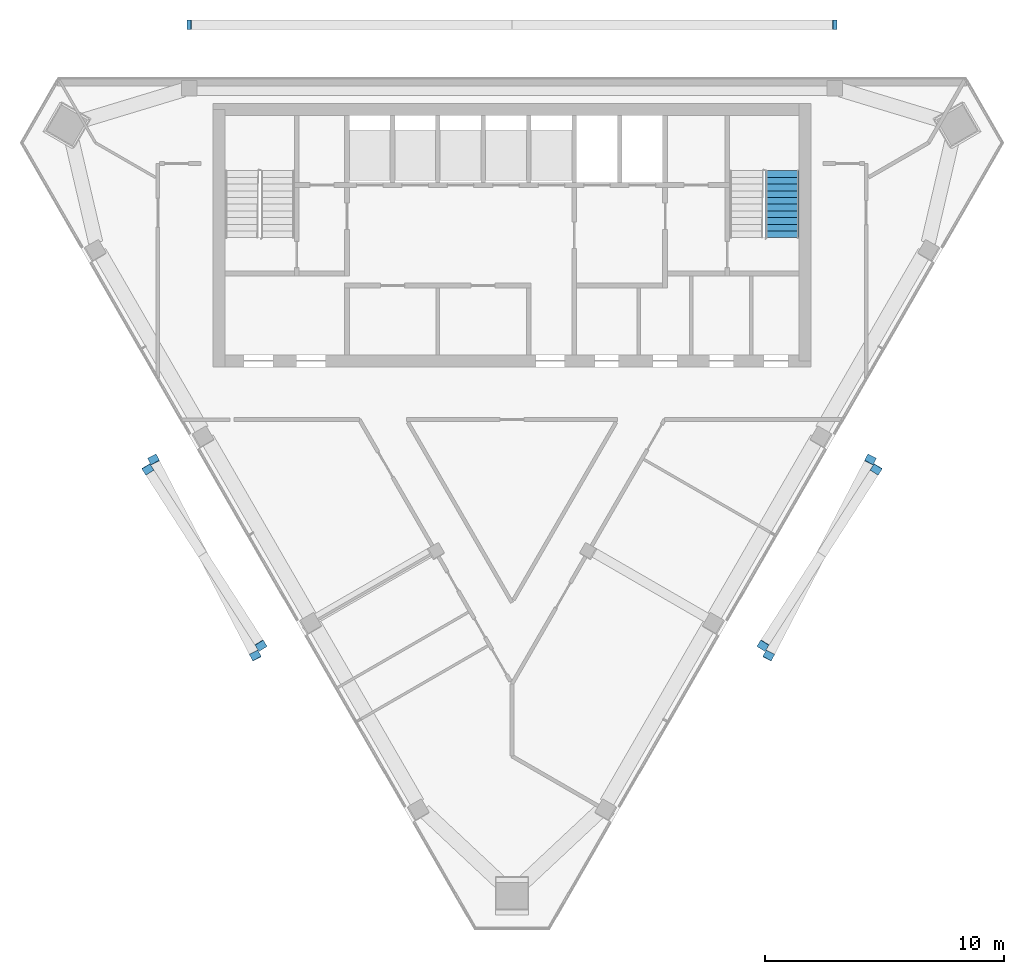
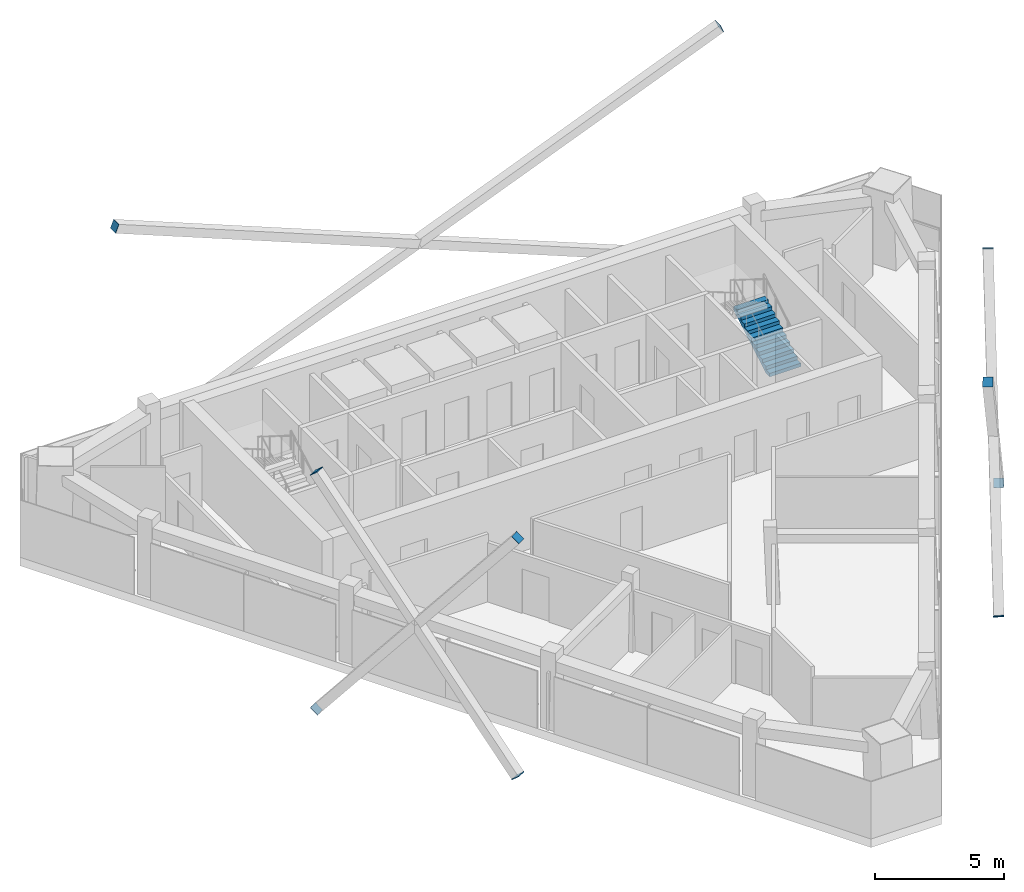
# One storey, part 8 of 10: 10 discrete accessories, 1 stair flight, 1 element without a shape of its own.
"""IFC4 building model written with IfcOpenShell, lengths in metres."""

from ifc_helpers import new_model, si_unit, direction, frame, origin, origin_2d, place, context, subcontext, project, spatial, polyline, rectangle, outline, extrude, material, material_profile, profile_set, type_object, element, aggregate, save


model = new_model("IFC4")

# Units and contexts
model_context = context("Model", 3, precision=1e-05, world=origin(), true_north=direction((0.0, 1.0)))
body_context = subcontext(model_context, "Body", "Model", "MODEL_VIEW")
ifc_project = project(units=[si_unit("LENGTHUNIT", "METRE"), si_unit("AREAUNIT", "SQUARE_METRE"), si_unit("VOLUMEUNIT", "CUBIC_METRE"), si_unit("PLANEANGLEUNIT", "RADIAN"), si_unit("MASSUNIT", "GRAM", prefix="KILO")], contexts=[model_context])

# Site, building, storey
site_placement = place(None, origin())
site = spatial("IfcSite", under=ifc_project, at=site_placement, CompositionType="ELEMENT")
building_placement = place(site_placement, origin())
building = spatial("IfcBuilding", under=site, at=building_placement, Name="Altiplano Prism Tower", CompositionType="ELEMENT")
storey_placement = place(building_placement, frame((0.0, 0.0, 347.199951171875)))
storey = spatial("IfcBuildingStorey", under=building, at=storey_placement, Name="L90", CompositionType="ELEMENT", Elevation=347.199951171875)

# Stair, stair flight
ifc_material_1 = material(Name="Concrete C40/50", Category="concrete")
stair_type = type_object("IfcStairType", Name="Exit stair 1400", PredefinedType="HALF_TURN_STAIR", material=ifc_material_1)
stair_placement = place(storey_placement, origin())
stair = element("IfcStair", 1, at=stair_placement, inside=storey, type_object=stair_type, Name="L90 Exit Stair 2", PredefinedType="HALF_TURN_STAIR")
stair_flight_type = type_object("IfcStairFlightType", Name="Stair flight concrete 150", PredefinedType="STRAIGHT", material=ifc_material_1)
stair_flight_placement = place(storey_placement, frame((96.300048828125, 98.300048828125, 0.0), z_axis=(0.0, 0.0, 1.0), x_axis=(0.0, 1.0, 0.0)))
stair_flight = element("IfcStairFlight", 2, at=stair_flight_placement, type_object=stair_flight_type, Name="ST2 flight 1", NumberOfRisers=11, NumberOfTreads=10, PredefinedType="STRAIGHT", RiserHeight=0.163636364, TreadLength=0.28, context=body_context, shape_type="SweptSolid", body=[
    extrude(outline(polyline([(0.0, 0.0), (0.0, 0.16357421875), (0.280029296875, 0.16357421875), (0.280029296875, 0.327392578125), (0.56005859375, 0.327392578125), (0.56005859375, 0.490966796875), (0.840087890625, 0.490966796875), (0.840087890625, 0.654541015625), (1.1201171875, 0.654541015625), (1.1201171875, 0.818115234375), (1.39990234375, 0.818115234375), (1.39990234375, 0.98193359375), (1.679931640625, 0.98193359375), (1.679931640625, 1.1455078125), (1.9599609375, 1.1455078125), (1.9599609375, 1.30908203125), (2.239990234375, 1.30908203125), (2.239990234375, 1.47265625), (2.52001953125, 1.47265625), (2.52001953125, 1.636474609375), (2.800048828125, 1.636474609375), (2.800048828125, 1.800048828125), (2.800048828125, 1.462646484375), (0.297119140625, 0.0), (0.0, 0.0)])), frame((0.0, 0.699951171875, 0.0), z_axis=(0.0, -1.0, 0.0), x_axis=(1.0, 0.0, 0.0)), (0.0, 0.0, 1.0), 1.39990234375),
])
aggregate(stair, [stair_flight])

# Discrete accessories
ifc_material_2 = material(Name="Steel S355", Category="steel")
ifc_material_profile = material_profile(ifc_material_2, rectangle(XDim=0.39990234375, YDim=0.39990234375, at=origin_2d()), Name="Brace end plate 400x400x20")
ifc_profile_set = profile_set([ifc_material_profile], Name="Steel S355")
discrete_accessory_type = type_object("IfcDiscreteAccessoryType", Name="Brace end plate 400x400x20", PredefinedType="ANCHORPLATE", material=ifc_profile_set)
for number, where, z_axis, x_axis, name in (
    (3, (71.5, 107.199951171875, 10.150146484375), (0.925934612024, 0.0, -0.377683854905), (0.0, 1.0, 0.0), "Brace end plate Mega brace 11.0.2 end 2"),
    (4, (98.5, 107.199951171875, 10.150146484375), (-0.925934612024, 0.0, -0.377683854905), (0.0, -1.0, 0.0), "Brace end plate Mega brace 11.0.4 end 2"),
    (5, (69.77294921875, 88.6201171875, -0.75), (0.328366085868, -0.535115102896, 0.778349240576), (0.852322728649, 0.523016219853, 0.0), "Brace end plate Mega brace 11.1.1 end 1"),
    (6, (74.5126953125, 81.241455078125, 10.150146484375), (-0.330499390571, 0.52635088128, -0.783405962836), (-0.846889988853, -0.531768132536, 0.0), "Brace end plate Mega brace 11.1.2 end 2"),
    (7, (74.27294921875, 80.82568359375, -0.75), (-0.303102677783, 0.569833034233, 0.763818748014), (-0.882872389199, -0.469612972978, 0.0), "Brace end plate Mega brace 11.1.3 end 1"),
    (8, (70.0126953125, 89.03564453125, 10.150146484375), (0.303102677783, -0.569833034233, -0.763818748014), (0.882872389199, 0.469612972978, 0.0), "Brace end plate Mega brace 11.1.4 end 2"),
    (9, (95.72705078125, 80.82568359375, -0.75), (0.303102677783, 0.569833034233, 0.763818748014), (-0.882872389199, 0.469612972978, 0.0), "Brace end plate Mega brace 11.2.1 end 1"),
    (10, (99.9873046875, 89.03564453125, 10.150146484375), (-0.303102677783, -0.569833034233, -0.763818748014), (0.882872389199, -0.469612972978, 0.0), "Brace end plate Mega brace 11.2.2 end 2"),
    (11, (100.22705078125, 88.6201171875, -0.75), (-0.328366085868, -0.535115102896, 0.778349240576), (0.852322728649, -0.523016219853, 0.0), "Brace end plate Mega brace 11.2.3 end 1"),
    (12, (95.4873046875, 81.241455078125, 10.150146484375), (0.330499390571, 0.52635088128, -0.783405962836), (-0.846889988853, 0.531768132536, 0.0), "Brace end plate Mega brace 11.2.4 end 2"),
):
    element("IfcDiscreteAccessory", number, at=place(storey_placement, frame(where, z_axis=z_axis, x_axis=x_axis)), inside=storey, type_object=discrete_accessory_type, Name=name, PredefinedType="ANCHORPLATE", context=body_context, shape_type="SweptSolid", body=[
        extrude(rectangle(XDim=0.39990234375, YDim=0.39990234375, at=origin_2d()), origin(), (0.0, 0.0, 1.0), 0.02001953125),
    ])

save(model, "model.ifc")
